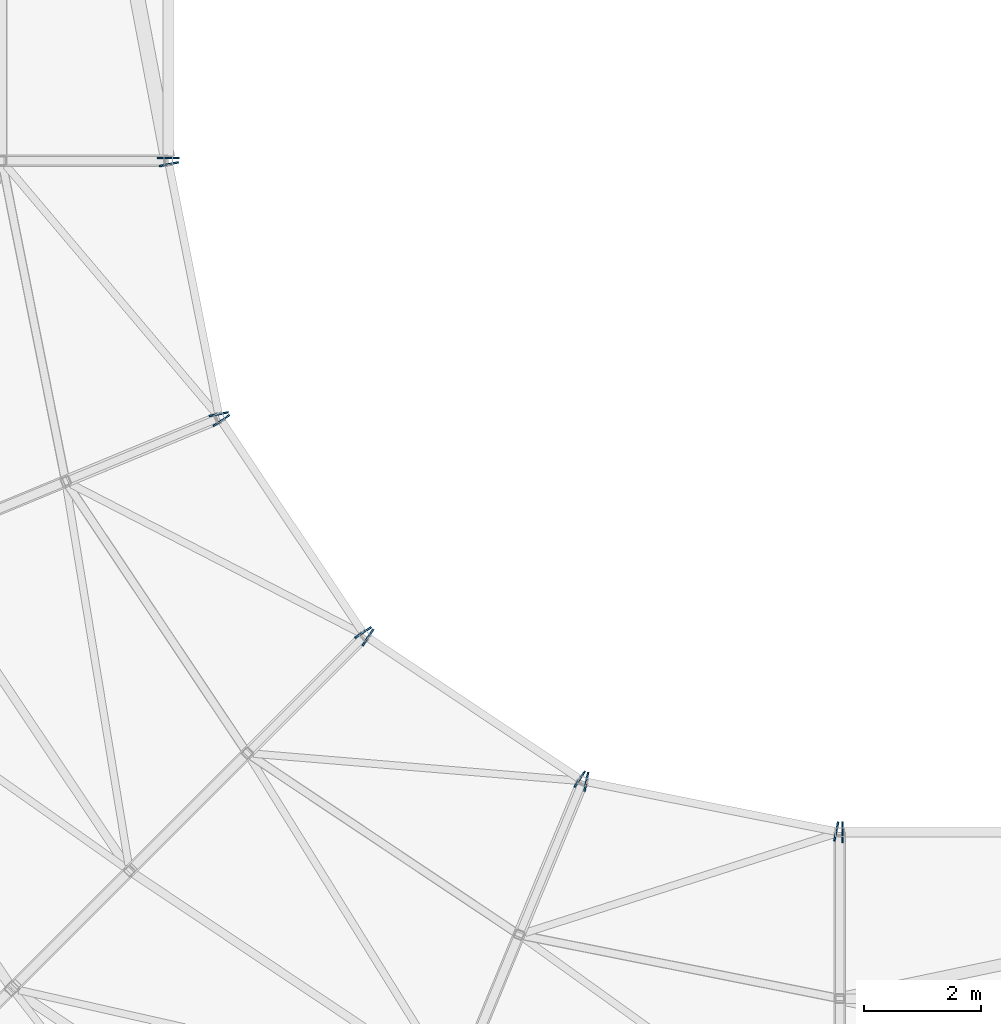
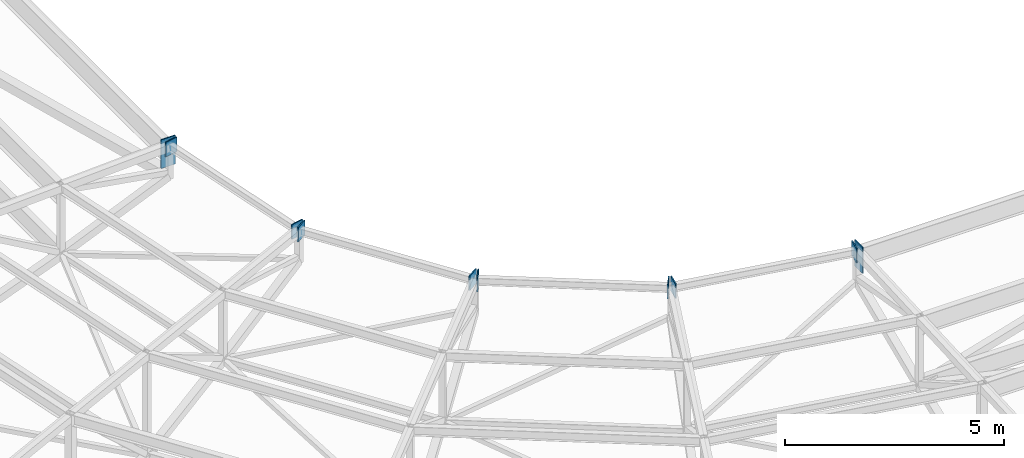
# One storey, part 130 of 278: 10 discrete accessories.
"""IFC4 building model written with IfcOpenShell, lengths in metres."""

from ifc_helpers import new_model, si_unit, direction, frame, origin, origin_2d, place, context, subcontext, project, spatial, rectangle, extrude, material, layer, layer_set, type_object, element, save


model = new_model("IFC4")

# Units and contexts
model_context = context("Model", 3, precision=1e-05, world=origin(), true_north=direction((0.0, 1.0)))
body_context = subcontext(model_context, "Body", "Model", "MODEL_VIEW")
ifc_project = project(units=[si_unit("LENGTHUNIT", "METRE"), si_unit("AREAUNIT", "SQUARE_METRE"), si_unit("VOLUMEUNIT", "CUBIC_METRE"), si_unit("PLANEANGLEUNIT", "RADIAN"), si_unit("MASSUNIT", "GRAM", prefix="KILO")], contexts=[model_context])

# Site, building, storey
site_placement = place(None, origin())
site = spatial("IfcSite", under=ifc_project, at=site_placement, CompositionType="ELEMENT")
building_placement = place(site_placement, origin())
building = spatial("IfcBuilding", under=site, at=building_placement, Name="Ogive Plaza Stadium", CompositionType="ELEMENT")
storey_placement = place(building_placement, frame((0.0, 0.0, 29.0)))
storey = spatial("IfcBuildingStorey", under=building, at=storey_placement, Name="Roof", CompositionType="ELEMENT", Elevation=29.0)

# Discrete accessories
ifc_material = material(Name="Steel ASTM A992 Grade 50", Category="steel")
ifc_layer = layer(ifc_material, 0.030029296875)
ifc_layer_set = layer_set([ifc_layer], Name="Steel ASTM A992 Grade 50")
discrete_accessory_type = type_object("IfcDiscreteAccessoryType", Name="Ring beam end plate 30", PredefinedType="ANCHORPLATE", material=ifc_layer_set)
discrete_accessory_1_placement = place(storey_placement, frame((-33.953857421875, -64.0, 6.80029296875), z_axis=(0.0, 0.0, 1.0), x_axis=(-1.0, 0.0, 0.0)))
element("IfcDiscreteAccessory", 1, at=discrete_accessory_1_placement, inside=storey, type_object=discrete_accessory_type, Name="RING BEAM END PLATE B16 2", PredefinedType="ANCHORPLATE", context=body_context, shape_type="SweptSolid", body=[
    extrude(rectangle(XDim=0.030029296875, YDim=0.364990234375, at=origin_2d()), origin(), (0.0, 0.0, 1.0), 0.724853515625),
])
for number, where, z_axis, x_axis, name in (
    (2, (-34.059814453125, -63.988037109375, 7.1181640625), (0.0, 0.0, 1.0), (-0.980785280434, 0.195090321862, 0.0), "RING BEAM END PLATE B17 1"),
    (3, (-38.341064453125, -63.136474609375, 7.1181640625), (0.0, 0.0, 1.0), (-0.980785280434, 0.195090321862, 0.0), "RING BEAM END PLATE B17 2"),
    (4, (-38.451416015625, -63.0908203125, 7.1181640625), (0.0, 0.0, 1.0), (-0.831469612332, 0.555570232976, 0.0), "RING BEAM END PLATE B18 1"),
    (5, (-42.0810546875, -60.66552734375, 7.1181640625), (0.0, 0.0, 1.0), (-0.831469612332, 0.555570232976, 0.0), "RING BEAM END PLATE B18 2"),
    (6, (-42.16552734375, -60.5810546875, 7.1181640625), (0.0, 0.0, 1.0), (-0.555570232976, 0.831469612332, 0.0), "RING BEAM END PLATE B19 1"),
    (7, (-44.5908203125, -56.951416015625, 7.1181640625), (0.0, 0.0, 1.0), (-0.555570232976, 0.831469612332, 0.0), "RING BEAM END PLATE B19 2"),
    (8, (-44.636474609375, -56.841064453125, 7.1181640625), (0.0, 0.0, 1.0), (-0.195090321862, 0.980785280434, 0.0), "RING BEAM END PLATE B20 1"),
    (9, (-45.488037109375, -52.559814453125, 7.1181640625), (0.0, 0.0, 1.0), (-0.195090321862, 0.980785280434, 0.0), "RING BEAM END PLATE B20 2"),
):
    element("IfcDiscreteAccessory", number, at=place(storey_placement, frame(where, z_axis=z_axis, x_axis=x_axis)), inside=storey, type_object=discrete_accessory_type, Name=name, PredefinedType="ANCHORPLATE", context=body_context, shape_type="SweptSolid", body=[
        extrude(rectangle(XDim=0.030029296875, YDim=0.33349609375, at=origin_2d()), origin(), (0.0, 0.0, 1.0), 0.40673828125),
    ])
discrete_accessory_2_placement = place(storey_placement, frame((-45.5, -52.453857421875, 6.7265625), z_axis=(0.0, 0.0, 1.0), x_axis=(0.0, 1.0, 0.0)))
element("IfcDiscreteAccessory", 10, at=discrete_accessory_2_placement, inside=storey, type_object=discrete_accessory_type, Name="RING BEAM END PLATE B21 1", PredefinedType="ANCHORPLATE", context=body_context, shape_type="SweptSolid", body=[
    extrude(rectangle(XDim=0.030029296875, YDim=0.3779296875, at=origin_2d()), origin(), (0.0, 0.0, 1.0), 0.798583984375),
])

save(model, "model.ifc")
